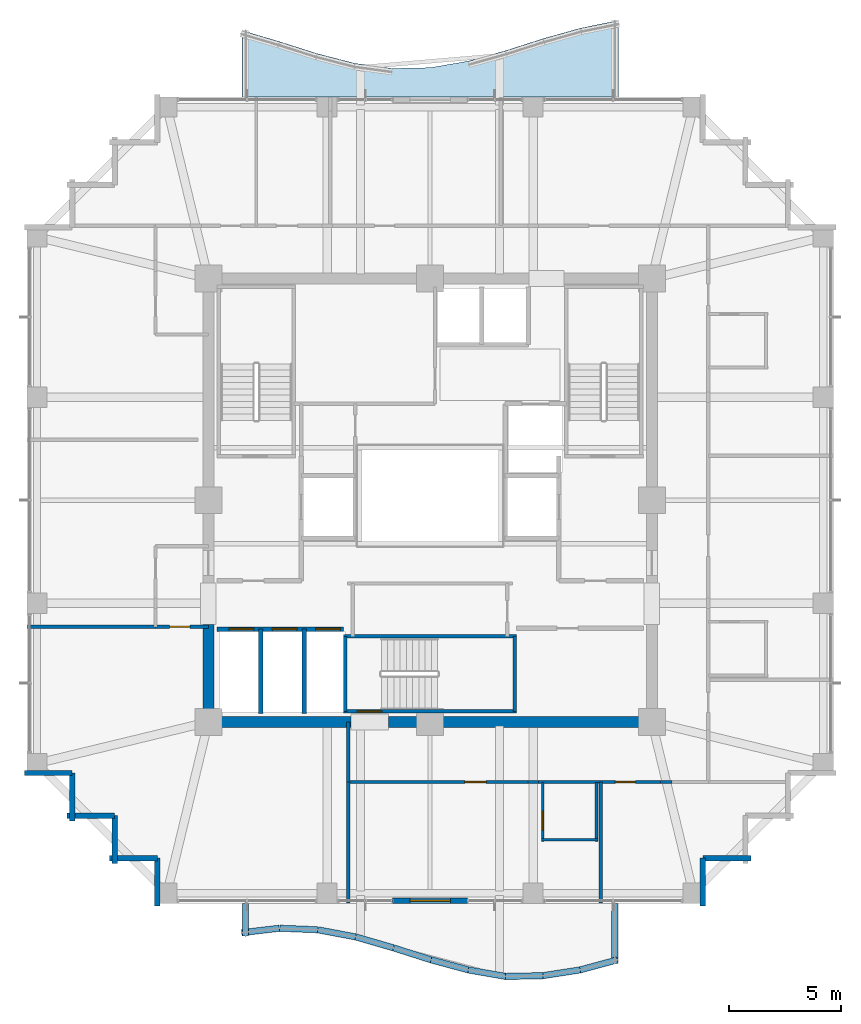
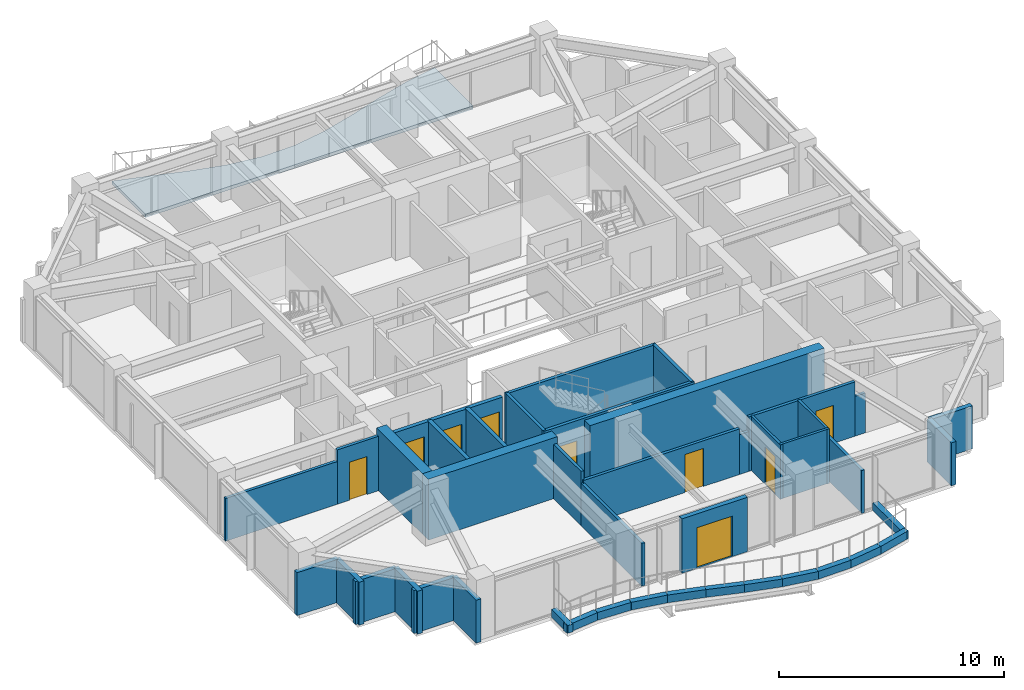
# One storey, part 26 of 31: 43 walls, 9 doors, 1 slab, 9 openings.
"""IFC4 building model written with IfcOpenShell, lengths in metres."""

from ifc_helpers import new_model, si_unit, direction, frame, frame_2d, origin, place, context, subcontext, project, spatial, polyline, rectangle, outline, extrude, material, layer, layer_set, type_object, element, fill, save


model = new_model("IFC4")

# Units and contexts
model_context = context("Model", 3, precision=1e-05, world=origin(), true_north=direction((0.0, 1.0)))
body_context = subcontext(model_context, "Body", "Model", "MODEL_VIEW")
ifc_project = project(units=[si_unit("LENGTHUNIT", "METRE"), si_unit("AREAUNIT", "SQUARE_METRE"), si_unit("VOLUMEUNIT", "CUBIC_METRE"), si_unit("PLANEANGLEUNIT", "RADIAN"), si_unit("MASSUNIT", "GRAM", prefix="KILO")], contexts=[model_context])

# Site, building, storey
site_placement = place(None, origin())
site = spatial("IfcSite", under=ifc_project, at=site_placement, CompositionType="ELEMENT")
building_placement = place(site_placement, origin())
building = spatial("IfcBuilding", under=site, at=building_placement, Name="Kolvaren Belvedere", CompositionType="ELEMENT")
storey_placement = place(building_placement, frame((0.0, 0.0, 144.800048828125)))
storey = spatial("IfcBuildingStorey", under=building, at=storey_placement, Name="L42", CompositionType="ELEMENT", Elevation=144.800048828125)

# Slab
ifc_material_1 = material(Name="Concrete C50/60", Category="concrete")
ifc_layer_1 = layer(ifc_material_1, 0.179931640625)
ifc_layer_set_1 = layer_set([ifc_layer_1], Name="Concrete C50/60")
slab_type = type_object("IfcSlabType", Name="SL-BAL-180", PredefinedType="FLOOR", material=ifc_layer_set_1)
slab_placement = place(storey_placement, frame((0.0, 0.0, -0.199951171875)))
element("IfcSlab", 1, at=slab_placement, inside=storey, type_object=slab_type, Name="L42 Planted Balcony BAL-N", PredefinedType="FLOOR", context=body_context, shape_type="SweptSolid", body=[
    extrude(outline(polyline([(-8.39990234375, 18.0), (-6.719970703125, 18.0), (-5.0400390625, 18.0), (-3.360107421875, 18.0), (-1.679931640625, 18.0), (0.0, 18.0), (1.679931640625, 18.0), (3.360107421875, 18.0), (5.0400390625, 18.0), (6.719970703125, 18.0), (8.39990234375, 18.0), (8.39990234375, 21.419921875), (6.719970703125, 21.079345703125), (5.0400390625, 20.608642578125), (3.360107421875, 20.0712890625), (1.679931640625, 19.6005859375), (0.0, 19.31298828125), (-1.679931640625, 19.279052734375), (-3.360107421875, 19.5078125), (-5.0400390625, 19.9423828125), (-6.719970703125, 20.475341796875), (-8.39990234375, 20.974853515625), (-8.39990234375, 18.0)])), origin(), (0.0, 0.0, 1.0), 0.179931640625),
])

# Walls
ifc_material_2 = material(Name="Concrete C50/60", Category="concrete")
ifc_layer_2 = layer(ifc_material_2, 0.5)
ifc_layer_set_2 = layer_set([ifc_layer_2], Name="Concrete C50/60")
wall_type_1 = type_object("IfcWallType", Name="CW-CORE-500", PredefinedType="SHEAR", material=ifc_layer_set_2)
wall_1_placement = place(storey_placement, frame((10.14990234375, -9.89990234375, 0.0), z_axis=(0.0, 0.0, 1.0), x_axis=(-1.0, 0.0, 0.0)))
element("IfcWall", 2, at=wall_1_placement, inside=storey, type_object=wall_type_1, Name="L42 South Core Shear Wall 1", PredefinedType="SHEAR", context=body_context, shape_type="SweptSolid", body=[
    extrude(rectangle(XDim=12.010009765625, YDim=0.5, at=frame_2d((6.0048828125, 0.0))), origin(), (0.0, 0.0, 1.0), 3.300048828125),
])
wall_2_placement = place(storey_placement, frame((-3.5400390625, -9.89990234375, 0.0), z_axis=(0.0, 0.0, 1.0), x_axis=(-1.0, 0.0, 0.0)))
element("IfcWall", 3, at=wall_2_placement, inside=storey, type_object=wall_type_1, Name="L42 South Core Shear Wall 2", PredefinedType="SHEAR", context=body_context, shape_type="SweptSolid", body=[
    extrude(rectangle(XDim=6.60986328125, YDim=0.5, at=frame_2d((3.304931640625, 0.0))), origin(), (0.0, 0.0, 1.0), 3.300048828125),
])
wall_3_placement = place(storey_placement, frame((-9.89990234375, -9.64990234375, 0.0), z_axis=(0.0, 0.0, 1.0), x_axis=(0.0, 1.0, 0.0)))
element("IfcWall", 4, at=wall_3_placement, inside=storey, type_object=wall_type_1, Name="L42 West Core Shear Wall 1", PredefinedType="SHEAR", context=body_context, shape_type="SweptSolid", body=[
    extrude(rectangle(XDim=4.099853515625, YDim=0.5, at=frame_2d((2.0498046875, 0.0))), origin(), (0.0, 0.0, 1.0), 3.300048828125),
])

# Wall, opening, door
ifc_material_3 = material(Name="Concrete C50/60", Category="concrete")
ifc_layer_3 = layer(ifc_material_3, 0.159912109375)
ifc_layer_set_3 = layer_set([ifc_layer_3], Name="Concrete C50/60")
wall_type_2 = type_object("IfcWallType", Name="CW-STAIR-160", PredefinedType="SHEAR", material=ifc_layer_set_3)
wall_4_placement = place(storey_placement, frame((3.860107421875, -9.429931640625, 0.0), z_axis=(0.0, 0.0, 1.0), x_axis=(-1.0, 0.0, 0.0)))
wall_4 = element("IfcWall", 5, at=wall_4_placement, inside=storey, type_object=wall_type_2, Name="L42 Stair ST-3 South Shear Wall", PredefinedType="SHEAR", context=body_context, shape_type="SweptSolid", body=[
    extrude(rectangle(XDim=7.72021484375, YDim=0.159912109375, at=frame_2d((3.860107421875, 0.0))), origin(), (0.0, 0.0, 1.0), 3.300048828125),
])
opening_1_placement = place(wall_4_placement, frame((6.010009765625, 0.0, 0.0)))
opening_1 = element("IfcOpeningElement", 6, at=opening_1_placement, cuts=wall_4, Name="Opening D-FD90", PredefinedType="OPENING", context=body_context, shape_type="SweptSolid", body=[
    extrude(rectangle(XDim=1.10009765625, YDim=2.199951171875, at=frame_2d((0.550048828125, 1.10009765625))), frame((0.0, 0.08984375, 0.0), z_axis=(0.0, -1.0, 0.0), x_axis=(1.0, 0.0, 0.0)), (0.0, 0.0, 1.0), 0.179931640625),
])
ifc_material_4 = material(Name="Painted hollow stainless steel", Category="steel")
door_type_1 = type_object("IfcDoorType", Name="DR-FD90-1100", OperationType="NOTDEFINED", PredefinedType="DOOR", material=ifc_material_4)
door_1_placement = place(opening_1_placement, origin())
door_1 = element("IfcDoor", 7, at=door_1_placement, inside=storey, type_object=door_type_1, Name="L42 Stair ST-3 Exit Door", OperationType="SINGLE_SWING_RIGHT", OverallHeight=2.199951171875, OverallWidth=1.10009765625, PredefinedType="DOOR", context=body_context, shape_type="SweptSolid", body=[
    extrude(rectangle(XDim=1.10009765625, YDim=2.199951171875, at=frame_2d((0.550048828125, 1.10009765625))), frame((0.0, 0.02490234375, 0.0), z_axis=(0.0, -1.0, 0.0), x_axis=(1.0, 0.0, 0.0)), (0.0, 0.0, 1.0), 0.050048828125),
])
fill(opening_1, door_1)

# Walls
wall_5_placement = place(storey_placement, frame((-3.860107421875, -6.080078125, 0.0), z_axis=(0.0, 0.0, 1.0), x_axis=(1.0, 0.0, 0.0)))
element("IfcWall", 8, at=wall_5_placement, inside=storey, type_object=wall_type_2, Name="L42 Stair ST-3 North Shear Wall", PredefinedType="SHEAR", context=body_context, shape_type="SweptSolid", body=[
    extrude(rectangle(XDim=7.72021484375, YDim=0.159912109375, at=frame_2d((3.860107421875, 0.0))), origin(), (0.0, 0.0, 1.0), 3.300048828125),
])
for number, where, z_axis, x_axis, name in (
    (9, (-3.780029296875, -9.429931640625, 0.0), (0.0, 0.0, 1.0), (0.0, 1.0, 0.0), "L42 Stair ST-3 West Shear Wall"),
    (10, (3.780029296875, -9.429931640625, 0.0), (0.0, 0.0, 1.0), (0.0, 1.0, 0.0), "L42 Stair ST-3 East Shear Wall"),
):
    element("IfcWall", number, at=place(storey_placement, frame(where, z_axis=z_axis, x_axis=x_axis)), inside=storey, type_object=wall_type_2, Name=name, PredefinedType="SHEAR", context=body_context, shape_type="SweptSolid", body=[
        extrude(rectangle(XDim=3.349853515625, YDim=0.159912109375, at=frame_2d((1.6748046875, 0.0))), origin(), (0.0, 0.0, 1.0), 3.300048828125),
    ])

# Wall, opening, door
ifc_material_5 = material(Name="Gypsum fire-rated partition assembly", Category="gypsum")
ifc_layer_4 = layer(ifc_material_5, 0.14990234375)
ifc_layer_set_4 = layer_set([ifc_layer_4], Name="Gypsum fire-rated partition assembly")
wall_type_3 = type_object("IfcWallType", Name="WL-CORR-150", PredefinedType="PARTITIONING", material=ifc_layer_set_4)
wall_6_placement = place(storey_placement, frame((-3.64990234375, -12.580078125, 0.0), z_axis=(0.0, 0.0, 1.0), x_axis=(1.0, 0.0, 0.0)))
wall_6 = element("IfcWall", 11, at=wall_6_placement, inside=storey, type_object=wall_type_3, Name="L42 South-East Corridor Wall", PredefinedType="PARTITIONING", context=body_context, shape_type="SweptSolid", body=[
    extrude(rectangle(XDim=8.017333984375, YDim=0.14990234375, at=frame_2d((4.0087890625, 0.0))), origin(), (0.0, 0.0, 1.0), 2.474853515625),
])
opening_2_placement = place(wall_6_placement, frame((5.205078125, 0.0, 0.0)))
opening_2 = element("IfcOpeningElement", 12, at=opening_2_placement, cuts=wall_6, Name="Opening D-FD60", PredefinedType="OPENING", context=body_context, shape_type="SweptSolid", body=[
    extrude(rectangle(XDim=0.949951171875, YDim=2.06005859375, at=frame_2d((0.47509765625, 1.030029296875))), frame((0.0, 0.0849609375, 0.0), z_axis=(0.0, -1.0, 0.0), x_axis=(1.0, 0.0, 0.0)), (0.0, 0.0, 1.0), 0.169921875),
])
ifc_material_6 = material(Name="Acoustic white-oak fire door leaf", Category="timber")
door_type_2 = type_object("IfcDoorType", Name="DR-FD60-950", OperationType="NOTDEFINED", PredefinedType="DOOR", material=ifc_material_6)
door_2_placement = place(opening_2_placement, origin())
door_2 = element("IfcDoor", 13, at=door_2_placement, inside=storey, type_object=door_type_2, Name="L42 King Guest Room 4209 Entry Door", OperationType="SINGLE_SWING_LEFT", OverallHeight=2.06005859375, OverallWidth=0.949951171875, PredefinedType="DOOR", context=body_context, shape_type="SweptSolid", body=[
    extrude(rectangle(XDim=0.949951171875, YDim=2.06005859375, at=frame_2d((0.47509765625, 1.030029296875))), frame((0.0, 0.02490234375, 0.0), z_axis=(0.0, -1.0, 0.0), x_axis=(1.0, 0.0, 0.0)), (0.0, 0.0, 1.0), 0.050048828125),
])
fill(opening_2, door_2)

# Wall
wall_7_placement = place(storey_placement, frame((4.367431640625, -12.580078125, 0.0), z_axis=(0.0, 0.0, 1.0), x_axis=(1.0, 0.0, 0.0)))
element("IfcWall", 14, at=wall_7_placement, inside=storey, type_object=wall_type_3, Name="L42 South-East Corridor Wall", PredefinedType="PARTITIONING", context=body_context, shape_type="SweptSolid", body=[
    extrude(rectangle(XDim=0.465087890625, YDim=0.14990234375, at=frame_2d((0.232421875, 0.0))), origin(), (0.0, 0.0, 1.0), 2.161865234375),
])

# Wall, opening, door
wall_8_placement = place(storey_placement, frame((4.83251953125, -12.580078125, 0.0), z_axis=(0.0, 0.0, 1.0), x_axis=(1.0, 0.0, 0.0)))
wall_8 = element("IfcWall", 15, at=wall_8_placement, inside=storey, type_object=wall_type_3, Name="L42 South-East Corridor Wall", PredefinedType="PARTITIONING", context=body_context, shape_type="SweptSolid", body=[
    extrude(rectangle(XDim=5.456298828125, YDim=0.14990234375, at=frame_2d((2.72802734375, 0.0))), origin(), (0.0, 0.0, 1.0), 2.949951171875),
])
opening_3_placement = place(wall_8_placement, frame((3.435302734375, 0.0, 0.0)))
opening_3 = element("IfcOpeningElement", 16, at=opening_3_placement, cuts=wall_8, Name="Opening D-INT90", PredefinedType="OPENING", context=body_context, shape_type="SweptSolid", body=[
    extrude(rectangle(XDim=0.89990234375, YDim=2.06005859375, at=frame_2d((0.449951171875, 1.030029296875))), frame((0.0, 0.0849609375, 0.0), z_axis=(0.0, -1.0, 0.0), x_axis=(1.0, 0.0, 0.0)), (0.0, 0.0, 1.0), 0.169921875),
])
ifc_material_7 = material(Name="Stained Pacific white oak", Category="timber")
door_type_3 = type_object("IfcDoorType", Name="DR-INT-900", OperationType="NOTDEFINED", PredefinedType="DOOR", material=ifc_material_7)
door_3_placement = place(opening_3_placement, origin())
door_3 = element("IfcDoor", 17, at=door_3_placement, inside=storey, type_object=door_type_3, Name="L42 Lounge 4210 Door", OperationType="SINGLE_SWING_RIGHT", OverallHeight=2.06005859375, OverallWidth=0.89990234375, PredefinedType="DOOR", context=body_context, shape_type="SweptSolid", body=[
    extrude(rectangle(XDim=0.89990234375, YDim=2.06005859375, at=frame_2d((0.449951171875, 1.030029296875))), frame((0.0, 0.02490234375, 0.0), z_axis=(0.0, -1.0, 0.0), x_axis=(1.0, 0.0, 0.0)), (0.0, 0.0, 1.0), 0.050048828125),
])
fill(opening_3, door_3)

# Walls
wall_9_placement = place(storey_placement, frame((10.288818359375, -12.580078125, 0.0), z_axis=(0.0, 0.0, 1.0), x_axis=(1.0, 0.0, 0.0)))
element("IfcWall", 18, at=wall_9_placement, inside=storey, type_object=wall_type_3, Name="L42 South-East Corridor Wall", PredefinedType="PARTITIONING", context=body_context, shape_type="SweptSolid", body=[
    extrude(rectangle(XDim=0.518798828125, YDim=0.14990234375, at=frame_2d((0.25927734375, 0.0))), origin(), (0.0, 0.0, 1.0), 2.161865234375),
])
wall_10_placement = place(storey_placement, frame((-3.64990234375, -12.580078125, 0.0), z_axis=(0.0, 0.0, 1.0), x_axis=(0.0, 1.0, 0.0)))
element("IfcWall", 19, at=wall_10_placement, inside=storey, type_object=wall_type_3, Name="L42 South Spur West Closure Wall", PredefinedType="PARTITIONING", context=body_context, shape_type="SweptSolid", body=[
    extrude(rectangle(XDim=2.68017578125, YDim=0.14990234375, at=frame_2d((1.340087890625, 0.0))), origin(), (0.0, 0.0, 1.0), 2.949951171875),
])

# Wall, opening, door
wall_11_placement = place(storey_placement, frame((-12.260009765625, -5.64990234375, 0.0), z_axis=(0.0, 0.0, 1.0), x_axis=(1.0, 0.0, 0.0)))
wall_11 = element("IfcWall", 20, at=wall_11_placement, inside=storey, type_object=wall_type_3, Name="L42 West Pocket South Closure Wall", PredefinedType="PARTITIONING", context=body_context, shape_type="SweptSolid", body=[
    extrude(rectangle(XDim=2.360107421875, YDim=0.14990234375, at=frame_2d((1.18017578125, 0.0))), origin(), (0.0, 0.0, 1.0), 2.949951171875),
])
opening_4_placement = place(wall_11_placement, frame((0.631591796875, 0.0, 0.0)))
opening_4 = element("IfcOpeningElement", 21, at=opening_4_placement, cuts=wall_11, Name="Opening D-INT90", PredefinedType="OPENING", context=body_context, shape_type="SweptSolid", body=[
    extrude(rectangle(XDim=0.89990234375, YDim=2.06005859375, at=frame_2d((0.449951171875, 1.030029296875))), frame((0.0, 0.0849609375, 0.0), z_axis=(0.0, -1.0, 0.0), x_axis=(1.0, 0.0, 0.0)), (0.0, 0.0, 1.0), 0.169921875),
])
door_4_placement = place(opening_4_placement, origin())
door_4 = element("IfcDoor", 22, at=door_4_placement, inside=storey, type_object=door_type_3, Name="L42 Lounge 4208 Door", OperationType="SINGLE_SWING_LEFT", OverallHeight=2.06005859375, OverallWidth=0.89990234375, PredefinedType="DOOR", context=body_context, shape_type="SweptSolid", body=[
    extrude(rectangle(XDim=0.89990234375, YDim=2.06005859375, at=frame_2d((0.449951171875, 1.030029296875))), frame((0.0, 0.02490234375, 0.0), z_axis=(0.0, -1.0, 0.0), x_axis=(1.0, 0.0, 0.0)), (0.0, 0.0, 1.0), 0.050048828125),
])
fill(opening_4, door_4)

ifc_material_8 = material(Name="Insulated pale-metal facade wall assembly", Category="aluminium")
ifc_layer_5 = layer(ifc_material_8, 0.239990234375)
ifc_layer_set_5 = layer_set([ifc_layer_5], Name="Insulated pale-metal facade wall assembly")
wall_type_4 = type_object("IfcWallType", Name="WL-EXT-240", PredefinedType="STANDARD", material=ifc_layer_set_5)
wall_12_placement = place(storey_placement, frame((1.679931640625, -17.8798828125, 0.0), z_axis=(0.0, 0.0, 1.0), x_axis=(-1.0, 0.0, 0.0)))
wall_12 = element("IfcWall", 23, at=wall_12_placement, inside=storey, type_object=wall_type_4, Name="L42 South Terrace Portal Wall", PredefinedType="STANDARD", context=body_context, shape_type="SweptSolid", body=[
    extrude(rectangle(XDim=3.35986328125, YDim=0.239990234375, at=frame_2d((1.679931640625, 0.0))), origin(), (0.0, 0.0, 1.0), 2.949951171875),
])
opening_5_placement = place(wall_12_placement, frame((0.780029296875, 0.0, 0.0)))
opening_5 = element("IfcOpeningElement", 24, at=opening_5_placement, cuts=wall_12, Name="Opening DB-1800", PredefinedType="OPENING", context=body_context, shape_type="SweptSolid", body=[
    extrude(rectangle(XDim=1.800048828125, YDim=2.199951171875, at=frame_2d((0.89990234375, 1.10009765625))), frame((0.0, 0.1298828125, 0.0), z_axis=(0.0, -1.0, 0.0), x_axis=(1.0, 0.0, 0.0)), (0.0, 0.0, 1.0), 0.260009765625),
])
ifc_material_9 = material(Name="Thermally broken pale-metal aluminium & low-iron glass", Category="aluminium")
door_type_4 = type_object("IfcDoorType", Name="DR-BAL-1800", OperationType="DOUBLE_DOOR_SLIDING", PredefinedType="DOOR", material=ifc_material_9)
door_5_placement = place(opening_5_placement, origin())
door_5 = element("IfcDoor", 25, at=door_5_placement, inside=storey, type_object=door_type_4, Name="L42 South Planted Terrace Sliding Door", OperationType="DOUBLE_DOOR_SLIDING", OverallHeight=2.199951171875, OverallWidth=1.800048828125, PredefinedType="DOOR", context=body_context, shape_type="SweptSolid", body=[
    extrude(rectangle(XDim=1.800048828125, YDim=2.199951171875, at=frame_2d((0.89990234375, 1.10009765625))), frame((0.0, 0.02490234375, 0.0), z_axis=(0.0, -1.0, 0.0), x_axis=(1.0, 0.0, 0.0)), (0.0, 0.0, 1.0), 0.050048828125),
])
fill(opening_5, door_5)

# Walls
for number, where, z_axis, x_axis, name in (
    (26, (12.179931640625, -15.97998046875, 0.0), (0.0, 0.0, 1.0), (0.0, -1.0, 0.0), "L42 Serrated Corner Facade Wall 2"),
    (27, (14.320068359375, -15.97998046875, 0.0), (0.0, 0.0, 1.0), (-1.0, 0.0, 0.0), "L42 Serrated Corner Facade Wall 3"),
    (28, (-15.97998046875, -12.179931640625, 0.0), (0.0, 0.0, 1.0), (-1.0, 0.0, 0.0), "L42 Serrated Corner Facade Wall 23"),
    (29, (-15.97998046875, -14.320068359375, 0.0), (0.0, 0.0, 1.0), (0.0, 1.0, 0.0), "L42 Serrated Corner Facade Wall 24"),
):
    element("IfcWall", number, at=place(storey_placement, frame(where, z_axis=z_axis, x_axis=x_axis)), inside=storey, type_object=wall_type_4, Name=name, PredefinedType="STANDARD", context=body_context, shape_type="SweptSolid", body=[
        extrude(rectangle(XDim=2.14013671875, YDim=0.239990234375, at=frame_2d((1.070068359375, 0.0))), origin(), (0.0, 0.0, 1.0), 2.328857421875),
    ])
for number, where, z_axis, x_axis, name in (
    (30, (-14.080078125, -14.080078125, 0.0), (0.0, 0.0, 1.0), (-1.0, 0.0, 0.0), "L42 Serrated Corner Facade Wall 25"),
    (31, (-14.080078125, -16.219970703125, 0.0), (0.0, 0.0, 1.0), (0.0, 1.0, 0.0), "L42 Serrated Corner Facade Wall 26"),
):
    element("IfcWall", number, at=place(storey_placement, frame(where, z_axis=z_axis, x_axis=x_axis)), inside=storey, type_object=wall_type_4, Name=name, PredefinedType="STANDARD", context=body_context, shape_type="SweptSolid", body=[
        extrude(rectangle(XDim=2.139892578125, YDim=0.239990234375, at=frame_2d((1.06982421875, 0.0))), origin(), (0.0, 0.0, 1.0), 2.328857421875),
    ])
for number, where, z_axis, x_axis, name in (
    (32, (-12.179931640625, -15.97998046875, 0.0), (0.0, 0.0, 1.0), (-1.0, 0.0, 0.0), "L42 Serrated Corner Facade Wall 27"),
    (33, (-12.179931640625, -18.1201171875, 0.0), (0.0, 0.0, 1.0), (0.0, 1.0, 0.0), "L42 Serrated Corner Facade Wall 28"),
):
    element("IfcWall", number, at=place(storey_placement, frame(where, z_axis=z_axis, x_axis=x_axis)), inside=storey, type_object=wall_type_4, Name=name, PredefinedType="STANDARD", context=body_context, shape_type="SweptSolid", body=[
        extrude(rectangle(XDim=2.14013671875, YDim=0.239990234375, at=frame_2d((1.070068359375, 0.0))), origin(), (0.0, 0.0, 1.0), 2.328857421875),
    ])
ifc_material_10 = material(Name="Gypsum acoustic partition assembly", Category="gypsum")
ifc_layer_6 = layer(ifc_material_10, 0.14990234375)
ifc_layer_set_6 = layer_set([ifc_layer_6], Name="Gypsum acoustic partition assembly")
wall_type_5 = type_object("IfcWallType", Name="WL-PART-150", PredefinedType="PARTITIONING", material=ifc_layer_set_6)
wall_13_placement = place(storey_placement, frame((-17.97998046875, -5.64990234375, 0.0), z_axis=(0.0, 0.0, 1.0), x_axis=(1.0, 0.0, 0.0)))
element("IfcWall", 34, at=wall_13_placement, inside=storey, type_object=wall_type_5, Name="L42 West Mid Suite South Wall", PredefinedType="PARTITIONING", context=body_context, shape_type="SweptSolid", body=[
    extrude(rectangle(XDim=5.719970703125, YDim=0.14990234375, at=frame_2d((2.85986328125, 0.0))), origin(), (0.0, 0.0, 1.0), 2.31884765625),
])
for number, where, z_axis, x_axis, name in (
    (35, (-3.64990234375, -17.97998046875, 0.0), (0.0, 0.0, 1.0), (0.0, 1.0, 0.0), "L42 South Mid-West Wall"),
    (36, (7.6201171875, -17.97998046875, 0.0), (0.0, 0.0, 1.0), (0.0, 1.0, 0.0), "L42 South-East Suite Divider 1"),
):
    element("IfcWall", number, at=place(storey_placement, frame(where, z_axis=z_axis, x_axis=x_axis)), inside=storey, type_object=wall_type_5, Name=name, PredefinedType="PARTITIONING", context=body_context, shape_type="SweptSolid", body=[
        extrude(rectangle(XDim=5.39990234375, YDim=0.14990234375, at=frame_2d((2.699951171875, 0.0))), origin(), (0.0, 0.0, 1.0), 2.31884765625),
    ])
ifc_material_11 = material(Name="Precast concrete C40/50", Category="concrete")
ifc_layer_7 = layer(ifc_material_11, 0.300048828125)
ifc_layer_set_7 = layer_set([ifc_layer_7], Name="Precast concrete C40/50")
wall_type_6 = type_object("IfcWallType", Name="WL-PLANTER-300", PredefinedType="PARAPET", material=ifc_layer_set_7)
wall_14_placement = place(storey_placement, frame((-8.418701171875, -19.307373046875, -0.02001953125), z_axis=(0.0, 0.0, 1.0), x_axis=(0.993142720498, 0.116908240605, 0.0)))
element("IfcWall", 37, at=wall_14_placement, inside=storey, type_object=wall_type_6, Name="L42 Precast Structural Planter Wall BAL-S-1", PredefinedType="PARAPET", context=body_context, shape_type="SweptSolid", body=[
    extrude(rectangle(XDim=1.691650390625, YDim=0.280029296875, at=frame_2d((0.845703125, 0.0))), origin(), (0.0, 0.0, 1.0), 0.419921875),
])
wall_15_placement = place(storey_placement, frame((-6.713623046875, -19.108642578125, -0.02001953125), z_axis=(0.0, 0.0, 1.0), x_axis=(0.999202349922, -0.039933243166, 0.0)))
element("IfcWall", 38, at=wall_15_placement, inside=storey, type_object=wall_type_6, Name="L42 Precast Structural Planter Wall BAL-S-2", PredefinedType="PARAPET", context=body_context, shape_type="SweptSolid", body=[
    extrude(rectangle(XDim=1.68115234375, YDim=0.280029296875, at=frame_2d((0.840576171875, 0.0))), origin(), (0.0, 0.0, 1.0), 0.419921875),
])
wall_16_placement = place(storey_placement, frame((-5.010498046875, -19.1787109375, -0.02001953125), z_axis=(0.0, 0.0, 1.0), x_axis=(0.982804219087, -0.184650661912, 0.0)))
element("IfcWall", 39, at=wall_16_placement, inside=storey, type_object=wall_type_6, Name="L42 Precast Structural Planter Wall BAL-S-3", PredefinedType="PARAPET", context=body_context, shape_type="SweptSolid", body=[
    extrude(rectangle(XDim=1.70947265625, YDim=0.280029296875, at=frame_2d((0.854736328125, 0.0))), origin(), (0.0, 0.0, 1.0), 0.419921875),
])
wall_17_placement = place(storey_placement, frame((-3.3154296875, -19.497802734375, -0.02001953125), z_axis=(0.0, 0.0, 1.0), x_axis=(0.96059663827, -0.277946215201, 0.0)))
element("IfcWall", 40, at=wall_17_placement, inside=storey, type_object=wall_type_6, Name="L42 Precast Structural Planter Wall BAL-S-4", PredefinedType="PARAPET", context=body_context, shape_type="SweptSolid", body=[
    extrude(rectangle(XDim=1.748779296875, YDim=0.280029296875, at=frame_2d((0.87451171875, 0.0))), origin(), (0.0, 0.0, 1.0), 0.419921875),
])
wall_18_placement = place(storey_placement, frame((-1.63134765625, -19.985107421875, -0.02001953125), z_axis=(0.0, 0.0, 1.0), x_axis=(0.952661770826, -0.304032153573, 0.0)))
element("IfcWall", 41, at=wall_18_placement, inside=storey, type_object=wall_type_6, Name="L42 Precast Structural Planter Wall BAL-S-5", PredefinedType="PARAPET", context=body_context, shape_type="SweptSolid", body=[
    extrude(rectangle(XDim=1.763427734375, YDim=0.280029296875, at=frame_2d((0.8818359375, 0.0))), origin(), (0.0, 0.0, 1.0), 0.419921875),
])
wall_19_placement = place(storey_placement, frame((0.041748046875, -20.519287109375, -0.02001953125), z_axis=(0.0, 0.0, 1.0), x_axis=(0.965424492388, -0.260682852326, 0.0)))
element("IfcWall", 42, at=wall_19_placement, inside=storey, type_object=wall_type_6, Name="L42 Precast Structural Planter Wall BAL-S-6", PredefinedType="PARAPET", context=body_context, shape_type="SweptSolid", body=[
    extrude(rectangle(XDim=1.739990234375, YDim=0.280029296875, at=frame_2d((0.8701171875, 0.0))), origin(), (0.0, 0.0, 1.0), 0.419921875),
])
wall_20_placement = place(storey_placement, frame((1.70751953125, -20.9697265625, -0.02001953125), z_axis=(0.0, 0.0, 1.0), x_axis=(0.985156010777, -0.171661394699, 0.0)))
element("IfcWall", 43, at=wall_20_placement, inside=storey, type_object=wall_type_6, Name="L42 Precast Structural Planter Wall BAL-S-7", PredefinedType="PARAPET", context=body_context, shape_type="SweptSolid", body=[
    extrude(rectangle(XDim=1.705322265625, YDim=0.280029296875, at=frame_2d((0.8525390625, 0.0))), origin(), (0.0, 0.0, 1.0), 0.419921875),
])
wall_21_placement = place(storey_placement, frame((3.356689453125, -21.260009765625, -0.02001953125), z_axis=(0.0, 0.0, 1.0), x_axis=(0.99979609052, 0.020193498486, 0.0)))
element("IfcWall", 44, at=wall_21_placement, inside=storey, type_object=wall_type_6, Name="L42 Precast Structural Planter Wall BAL-S-8", PredefinedType="PARAPET", context=body_context, shape_type="SweptSolid", body=[
    extrude(rectangle(XDim=1.680419921875, YDim=0.280029296875, at=frame_2d((0.84033203125, 0.0))), origin(), (0.0, 0.0, 1.0), 0.419921875),
])
wall_22_placement = place(storey_placement, frame((5.015625, -21.22802734375, -0.02001953125), z_axis=(0.0, 0.0, 1.0), x_axis=(0.988341789514, 0.152251460091, 0.0)))
element("IfcWall", 45, at=wall_22_placement, inside=storey, type_object=wall_type_6, Name="L42 Precast Structural Planter Wall BAL-S-9", PredefinedType="PARAPET", context=body_context, shape_type="SweptSolid", body=[
    extrude(rectangle(XDim=1.69970703125, YDim=0.280029296875, at=frame_2d((0.849853515625, 0.0))), origin(), (0.0, 0.0, 1.0), 0.419921875),
])
wall_23_placement = place(storey_placement, frame((6.67822265625, -20.972900390625, -0.02001953125), z_axis=(0.0, 0.0, 1.0), x_axis=(0.965434024814, 0.260647546949, 0.0)))
element("IfcWall", 46, at=wall_23_placement, inside=storey, type_object=wall_type_6, Name="L42 Precast Structural Planter Wall BAL-S-10", PredefinedType="PARAPET", context=body_context, shape_type="SweptSolid", body=[
    extrude(rectangle(XDim=1.740234375, YDim=0.280029296875, at=frame_2d((0.8701171875, 0.0))), origin(), (0.0, 0.0, 1.0), 0.419921875),
])
wall_24_placement = place(storey_placement, frame((8.239990234375, -20.673583984375, -0.02001953125), z_axis=(0.0, 0.0, 1.0), x_axis=(0.0, 1.0, 0.0)))
element("IfcWall", 47, at=wall_24_placement, inside=storey, type_object=wall_type_6, Name="L42 Precast Structural Planter Wall BAL-S-11", PredefinedType="PARAPET", context=body_context, shape_type="SweptSolid", body=[
    extrude(rectangle(XDim=2.673583984375, YDim=0.280029296875, at=frame_2d((1.3369140625, 0.0))), origin(), (0.0, 0.0, 1.0), 0.419921875),
])
wall_25_placement = place(storey_placement, frame((-8.239990234375, -18.0, -0.02001953125), z_axis=(0.0, 0.0, 1.0), x_axis=(0.0, -1.0, 0.0)))
element("IfcWall", 48, at=wall_25_placement, inside=storey, type_object=wall_type_6, Name="L42 Precast Structural Planter Wall BAL-S-22", PredefinedType="PARAPET", context=body_context, shape_type="SweptSolid", body=[
    extrude(rectangle(XDim=1.46630859375, YDim=0.280029296875, at=frame_2d((0.733154296875, 0.0))), origin(), (0.0, 0.0, 1.0), 0.419921875),
])

# Wall, openings, doors
ifc_material_12 = material(Name="Concrete C50/60", Category="concrete")
ifc_layer_8 = layer(ifc_material_12, 0.199951171875)
ifc_layer_set_8 = layer_set([ifc_layer_8], Name="Concrete C50/60")
wall_type_7 = type_object("IfcWallType", Name="WL-SHAFT-200", PredefinedType="SOLIDWALL", material=ifc_layer_set_8)
wall_26_placement = place(storey_placement, frame((-9.52001953125, -5.75, 0.0), z_axis=(0.0, 0.0, 1.0), x_axis=(1.0, 0.0, 0.0)))
wall_26 = element("IfcWall", 49, at=wall_26_placement, inside=storey, type_object=wall_type_7, Name="L42 Mid-Rise Lift Bank Front Wall", PredefinedType="SOLIDWALL", context=body_context, shape_type="SweptSolid", body=[
    extrude(rectangle(XDim=5.659912109375, YDim=0.199951171875, at=frame_2d((2.830078125, 0.0))), origin(), (0.0, 0.0, 1.0), 2.949951171875),
])
opening_6_placement = place(wall_26_placement, frame((0.550048828125, 0.0, 0.0)))
opening_6 = element("IfcOpeningElement", 50, at=opening_6_placement, cuts=wall_26, Name="Opening LD-11", PredefinedType="OPENING", context=body_context, shape_type="SweptSolid", body=[
    extrude(rectangle(XDim=1.10009765625, YDim=2.199951171875, at=frame_2d((0.550048828125, 1.10009765625))), frame((0.0, 0.10986328125, 0.0), z_axis=(0.0, -1.0, 0.0), x_axis=(1.0, 0.0, 0.0)), (0.0, 0.0, 1.0), 0.219970703125),
])
opening_7_placement = place(wall_26_placement, frame((2.47998046875, 0.0, 0.0)))
opening_7 = element("IfcOpeningElement", 51, at=opening_7_placement, cuts=wall_26, Name="Opening LD-11", PredefinedType="OPENING", context=body_context, shape_type="SweptSolid", body=[
    extrude(rectangle(XDim=1.10009765625, YDim=2.199951171875, at=frame_2d((0.550048828125, 1.10009765625))), frame((0.0, 0.10986328125, 0.0), z_axis=(0.0, -1.0, 0.0), x_axis=(1.0, 0.0, 0.0)), (0.0, 0.0, 1.0), 0.219970703125),
])
opening_8_placement = place(wall_26_placement, frame((4.409912109375, 0.0, 0.0)))
opening_8 = element("IfcOpeningElement", 52, at=opening_8_placement, cuts=wall_26, Name="Opening LD-11", PredefinedType="OPENING", context=body_context, shape_type="SweptSolid", body=[
    extrude(rectangle(XDim=1.10009765625, YDim=2.199951171875, at=frame_2d((0.550048828125, 1.10009765625))), frame((0.0, 0.10986328125, 0.0), z_axis=(0.0, -1.0, 0.0), x_axis=(1.0, 0.0, 0.0)), (0.0, 0.0, 1.0), 0.219970703125),
])
ifc_material_13 = material(Name="Brushed stainless steel", Category="steel")
door_type_5 = type_object("IfcDoorType", Name="DR-LIFT-1100", OperationType="DOUBLE_DOOR_SLIDING", PredefinedType="DOOR", material=ifc_material_13)
door_6_placement = place(opening_6_placement, origin())
door_6 = element("IfcDoor", 53, at=door_6_placement, inside=storey, type_object=door_type_5, Name="L42 Passenger Lift P4 Landing Door", OperationType="DOUBLE_DOOR_SLIDING", OverallHeight=2.199951171875, OverallWidth=1.10009765625, PredefinedType="DOOR", context=body_context, shape_type="SweptSolid", body=[
    extrude(rectangle(XDim=1.10009765625, YDim=2.199951171875, at=frame_2d((0.550048828125, 1.10009765625))), frame((0.0, 0.02490234375, 0.0), z_axis=(0.0, -1.0, 0.0), x_axis=(1.0, 0.0, 0.0)), (0.0, 0.0, 1.0), 0.050048828125),
])
fill(opening_6, door_6)
door_7_placement = place(opening_7_placement, origin())
door_7 = element("IfcDoor", 54, at=door_7_placement, inside=storey, type_object=door_type_5, Name="L42 Passenger Lift P5 Landing Door", OperationType="DOUBLE_DOOR_SLIDING", OverallHeight=2.199951171875, OverallWidth=1.10009765625, PredefinedType="DOOR", context=body_context, shape_type="SweptSolid", body=[
    extrude(rectangle(XDim=1.10009765625, YDim=2.199951171875, at=frame_2d((0.550048828125, 1.10009765625))), frame((0.0, 0.02490234375, 0.0), z_axis=(0.0, -1.0, 0.0), x_axis=(1.0, 0.0, 0.0)), (0.0, 0.0, 1.0), 0.050048828125),
])
fill(opening_7, door_7)
door_8_placement = place(opening_8_placement, origin())
door_8 = element("IfcDoor", 55, at=door_8_placement, inside=storey, type_object=door_type_5, Name="L42 Passenger Lift P6 Landing Door", OperationType="DOUBLE_DOOR_SLIDING", OverallHeight=2.199951171875, OverallWidth=1.10009765625, PredefinedType="DOOR", context=body_context, shape_type="SweptSolid", body=[
    extrude(rectangle(XDim=1.10009765625, YDim=2.199951171875, at=frame_2d((0.550048828125, 1.10009765625))), frame((0.0, 0.02490234375, 0.0), z_axis=(0.0, -1.0, 0.0), x_axis=(1.0, 0.0, 0.0)), (0.0, 0.0, 1.0), 0.050048828125),
])
fill(opening_8, door_8)

# Walls
for number, where, z_axis, x_axis, name in (
    (56, (-7.56005859375, -9.52001953125, 0.0), (0.0, 0.0, 1.0), (0.0, 1.0, 0.0), "L42 Mid-Rise Hoistway Divider 1"),
    (57, (-5.6298828125, -9.52001953125, 0.0), (0.0, 0.0, 1.0), (0.0, 1.0, 0.0), "L42 Mid-Rise Hoistway Divider 2"),
):
    element("IfcWall", number, at=place(storey_placement, frame(where, z_axis=z_axis, x_axis=x_axis)), inside=storey, type_object=wall_type_7, Name=name, PredefinedType="SOLIDWALL", context=body_context, shape_type="SweptSolid", body=[
        extrude(rectangle(XDim=3.77001953125, YDim=0.199951171875, at=frame_2d((1.885009765625, 0.0))), origin(), (0.0, 0.0, 1.0), 2.949951171875),
    ])

# Wall, opening, door
ifc_material_14 = material(Name="Moisture-resistant gypsum partition", Category="gypsum")
ifc_layer_9 = layer(ifc_material_14, 0.125)
ifc_layer_set_9 = layer_set([ifc_layer_9], Name="Moisture-resistant gypsum partition")
wall_type_8 = type_object("IfcWallType", Name="WL-WET-125", PredefinedType="PARTITIONING", material=ifc_layer_set_9)
wall_27_placement = place(storey_placement, frame((5.02490234375, -15.235107421875, 0.0), z_axis=(0.0, 0.0, 1.0), x_axis=(0.0, 1.0, 0.0)))
wall_27 = element("IfcWall", 58, at=wall_27_placement, inside=storey, type_object=wall_type_8, Name="L42 Bathroom Partition PW-L42-BTH-9-E", PredefinedType="PARTITIONING", context=body_context, shape_type="SweptSolid", body=[
    extrude(rectangle(XDim=2.64013671875, YDim=0.125, at=frame_2d((1.320068359375, 0.0))), origin(), (0.0, 0.0, 1.0), 2.949951171875),
])
opening_9_placement = place(wall_27_placement, frame((0.5, 0.0, 0.0)))
opening_9 = element("IfcOpeningElement", 59, at=opening_9_placement, cuts=wall_27, Name="Opening D-BTH85", PredefinedType="OPENING", context=body_context, shape_type="SweptSolid", body=[
    extrude(rectangle(XDim=0.85009765625, YDim=2.030029296875, at=frame_2d((0.425048828125, 1.01513671875))), frame((0.0, 0.072509765625, 0.0), z_axis=(0.0, -1.0, 0.0), x_axis=(1.0, 0.0, 0.0)), (0.0, 0.0, 1.0), 0.14501953125),
])
ifc_material_15 = material(Name="Moisture-sealed Pacific white oak", Category="timber")
door_type_6 = type_object("IfcDoorType", Name="DR-BATH-850", OperationType="NOTDEFINED", PredefinedType="DOOR", material=ifc_material_15)
door_9_placement = place(opening_9_placement, origin())
door_9 = element("IfcDoor", 60, at=door_9_placement, inside=storey, type_object=door_type_6, Name="L42 En-Suite Bathroom 4209 Door", OperationType="SINGLE_SWING_RIGHT", OverallHeight=2.030029296875, OverallWidth=0.85009765625, PredefinedType="DOOR", context=body_context, shape_type="SweptSolid", body=[
    extrude(rectangle(XDim=0.85009765625, YDim=2.030029296875, at=frame_2d((0.425048828125, 1.01513671875))), frame((0.0, 0.02490234375, 0.0), z_axis=(0.0, -1.0, 0.0), x_axis=(1.0, 0.0, 0.0)), (0.0, 0.0, 1.0), 0.050048828125),
])
fill(opening_9, door_9)

# Walls
wall_28_placement = place(storey_placement, frame((4.965087890625, -15.155029296875, 0.0), z_axis=(0.0, 0.0, 1.0), x_axis=(1.0, 0.0, 0.0)))
element("IfcWall", 61, at=wall_28_placement, inside=storey, type_object=wall_type_8, Name="L42 Bathroom Partition PW-L42-BTH-9-H", PredefinedType="PARTITIONING", context=body_context, shape_type="SweptSolid", body=[
    extrude(rectangle(XDim=2.52001953125, YDim=0.125, at=frame_2d((1.260009765625, 0.0))), origin(), (0.0, 0.0, 1.0), 2.949951171875),
])
wall_29_placement = place(storey_placement, frame((7.425048828125, -15.235107421875, 0.0), z_axis=(0.0, 0.0, 1.0), x_axis=(0.0, 1.0, 0.0)))
element("IfcWall", 62, at=wall_29_placement, inside=storey, type_object=wall_type_8, Name="L42 Bathroom Partition PW-L42-BTH-9-W", PredefinedType="PARTITIONING", context=body_context, shape_type="SweptSolid", body=[
    extrude(rectangle(XDim=2.64013671875, YDim=0.125, at=frame_2d((1.320068359375, 0.0))), origin(), (0.0, 0.0, 1.0), 2.949951171875),
])

save(model, "model.ifc")
